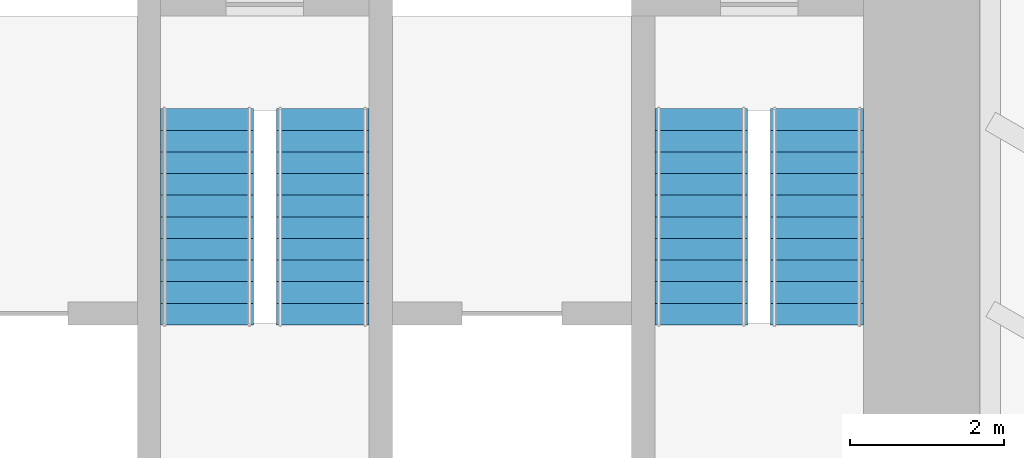
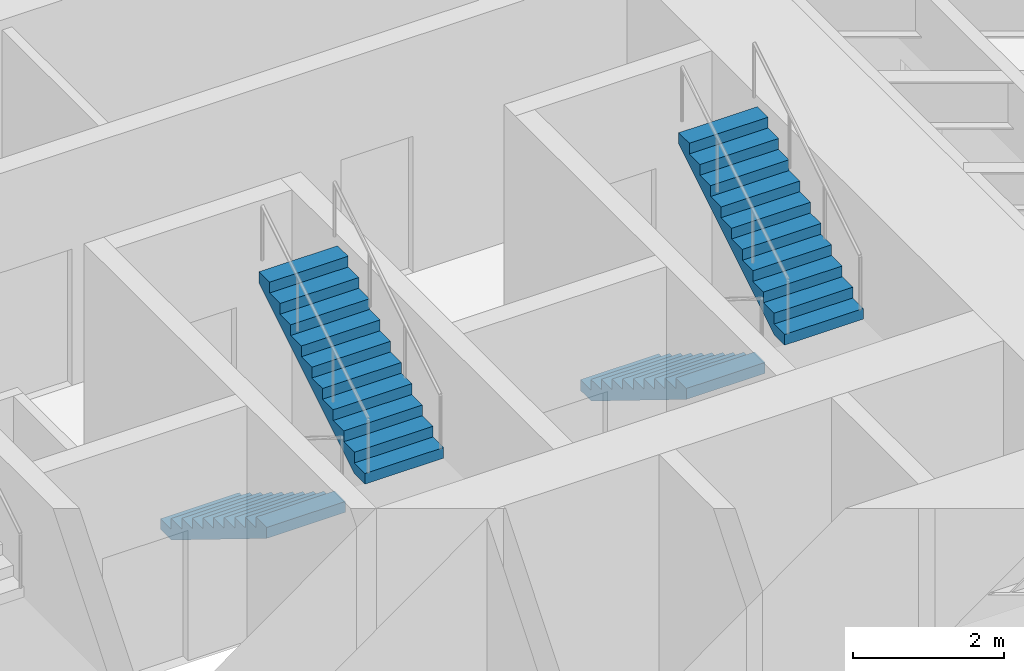
# One storey, part 16 of 17: 4 stair flights, 2 elements without a shape of their own.
"""IFC4 building model written with IfcOpenShell, lengths in metres."""

from ifc_helpers import new_model, si_unit, direction, frame, origin, place, context, subcontext, project, spatial, polyline, outline, extrude, material, type_object, element, aggregate, save


model = new_model("IFC4")

# Units and contexts
model_context = context("Model", 3, precision=1e-05, world=origin(), true_north=direction((0.0, 1.0)))
body_context = subcontext(model_context, "Body", "Model", "MODEL_VIEW")
ifc_project = project(units=[si_unit("LENGTHUNIT", "METRE"), si_unit("AREAUNIT", "SQUARE_METRE"), si_unit("VOLUMEUNIT", "CUBIC_METRE"), si_unit("PLANEANGLEUNIT", "RADIAN"), si_unit("MASSUNIT", "GRAM", prefix="KILO")], contexts=[model_context])

# Site, building, storey
site_placement = place(None, origin())
site = spatial("IfcSite", under=ifc_project, at=site_placement, CompositionType="ELEMENT")
building_placement = place(site_placement, origin())
building = spatial("IfcBuilding", under=site, at=building_placement, Name="Sandreach Pilgrim Tower", CompositionType="ELEMENT")
storey_placement = place(building_placement, frame((0.0, 0.0, 49.60009765625)))
storey = spatial("IfcBuildingStorey", under=building, at=storey_placement, Name="L11", CompositionType="ELEMENT", Elevation=49.60009765625)

# Stair, stair flights
ifc_material_1 = material(Name="Concrete 8000 psi", Category="concrete")
stair_type = type_object("IfcStairType", Name="Core exit stair", PredefinedType="HALF_TURN_STAIR", material=ifc_material_1)
stair_1_placement = place(storey_placement, origin())
stair_1 = element("IfcStair", 1, at=stair_1_placement, inside=storey, type_object=stair_type, Name="Exit stair ST3 L11", PredefinedType="HALF_TURN_STAIR")
ifc_material_2 = material(Name="Concrete 8000 psi", Category="concrete")
stair_flight_type = type_object("IfcStairFlightType", Name="Core stair flight 1200", PredefinedType="STRAIGHT", material=ifc_material_2)
stair_flight_1_placement = place(storey_placement, frame((-0.75, -0.39990234375, 0.0), z_axis=(0.0, 0.0, 1.0), x_axis=(0.0, -1.0, 0.0)))
stair_flight_1 = element("IfcStairFlight", 2, at=stair_flight_1_placement, type_object=stair_flight_type, Name="ST3 flight 1", NumberOfRisers=11, NumberOfTreads=10, PredefinedType="STRAIGHT", RiserHeight=0.172727273, TreadLength=0.28, context=body_context, shape_type="SweptSolid", body=[
    extrude(outline(polyline([(0.0, 0.0), (0.0, 0.172607421875), (0.280029296875, 0.172607421875), (0.280029296875, 0.345458984375), (0.56005859375, 0.345458984375), (0.56005859375, 0.51806640625), (0.840087890625, 0.51806640625), (0.840087890625, 0.69091796875), (1.1201171875, 0.69091796875), (1.1201171875, 0.863525390625), (1.39990234375, 0.863525390625), (1.39990234375, 1.036376953125), (1.679931640625, 1.036376953125), (1.679931640625, 1.208984375), (1.9599609375, 1.208984375), (1.9599609375, 1.3818359375), (2.239990234375, 1.3818359375), (2.239990234375, 1.554443359375), (2.52001953125, 1.554443359375), (2.52001953125, 1.727294921875), (2.800048828125, 1.727294921875), (2.800048828125, 1.89990234375), (2.800048828125, 1.551025390625), (0.285400390625, 0.0), (0.0, 0.0)])), frame((0.0, 0.60009765625, 0.0), z_axis=(0.0, -1.0, 0.0), x_axis=(1.0, 0.0, 0.0)), (0.0, 0.0, 1.0), 1.199951171875),
])
stair_flight_2_placement = place(storey_placement, frame((0.75, -3.199951171875, 1.89990234375), z_axis=(0.0, 0.0, 1.0), x_axis=(0.0, 1.0, 0.0)))
stair_flight_2 = element("IfcStairFlight", 3, at=stair_flight_2_placement, type_object=stair_flight_type, Name="ST3 flight 2", NumberOfRisers=11, NumberOfTreads=10, PredefinedType="STRAIGHT", RiserHeight=0.172727273, TreadLength=0.28, context=body_context, shape_type="SweptSolid", body=[
    extrude(outline(polyline([(0.0, 0.0), (0.0, 0.172607421875), (0.280029296875, 0.172607421875), (0.280029296875, 0.345458984375), (0.56005859375, 0.345458984375), (0.56005859375, 0.51806640625), (0.840087890625, 0.51806640625), (0.840087890625, 0.69091796875), (1.1201171875, 0.69091796875), (1.1201171875, 0.863525390625), (1.39990234375, 0.863525390625), (1.39990234375, 1.036376953125), (1.679931640625, 1.036376953125), (1.679931640625, 1.208984375), (1.9599609375, 1.208984375), (1.9599609375, 1.3818359375), (2.239990234375, 1.3818359375), (2.239990234375, 1.554443359375), (2.52001953125, 1.554443359375), (2.52001953125, 1.727294921875), (2.800048828125, 1.727294921875), (2.800048828125, 1.89990234375), (2.800048828125, 1.551025390625), (0.285400390625, 0.0), (0.0, 0.0)])), frame((0.0, 0.60009765625, 0.0), z_axis=(0.0, -1.0, 0.0), x_axis=(1.0, 0.0, 0.0)), (0.0, 0.0, 1.0), 1.199951171875),
])
aggregate(stair_1, [stair_flight_1, stair_flight_2])

stair_2_placement = place(storey_placement, origin())
stair_2 = element("IfcStair", 4, at=stair_2_placement, inside=storey, type_object=stair_type, Name="Exit stair ST2 L11", PredefinedType="HALF_TURN_STAIR")
stair_flight_3_placement = place(storey_placement, frame((5.64990234375, -0.39990234375, 0.0), z_axis=(0.0, 0.0, 1.0), x_axis=(0.0, -1.0, 0.0)))
stair_flight_3 = element("IfcStairFlight", 5, at=stair_flight_3_placement, type_object=stair_flight_type, Name="ST2 flight 1", NumberOfRisers=11, NumberOfTreads=10, PredefinedType="STRAIGHT", RiserHeight=0.172727273, TreadLength=0.28, context=body_context, shape_type="SweptSolid", body=[
    extrude(outline(polyline([(0.0, 0.0), (0.0, 0.172607421875), (0.280029296875, 0.172607421875), (0.280029296875, 0.345458984375), (0.56005859375, 0.345458984375), (0.56005859375, 0.51806640625), (0.840087890625, 0.51806640625), (0.840087890625, 0.69091796875), (1.1201171875, 0.69091796875), (1.1201171875, 0.863525390625), (1.39990234375, 0.863525390625), (1.39990234375, 1.036376953125), (1.679931640625, 1.036376953125), (1.679931640625, 1.208984375), (1.9599609375, 1.208984375), (1.9599609375, 1.3818359375), (2.239990234375, 1.3818359375), (2.239990234375, 1.554443359375), (2.52001953125, 1.554443359375), (2.52001953125, 1.727294921875), (2.800048828125, 1.727294921875), (2.800048828125, 1.89990234375), (2.800048828125, 1.551025390625), (0.285400390625, 0.0), (0.0, 0.0)])), frame((0.0, 0.60009765625, 0.0), z_axis=(0.0, -1.0, 0.0), x_axis=(1.0, 0.0, 0.0)), (0.0, 0.0, 1.0), 1.199951171875),
])
stair_flight_4_placement = place(storey_placement, frame((7.14990234375, -3.199951171875, 1.89990234375), z_axis=(0.0, 0.0, 1.0), x_axis=(0.0, 1.0, 0.0)))
stair_flight_4 = element("IfcStairFlight", 6, at=stair_flight_4_placement, type_object=stair_flight_type, Name="ST2 flight 2", NumberOfRisers=11, NumberOfTreads=10, PredefinedType="STRAIGHT", RiserHeight=0.172727273, TreadLength=0.28, context=body_context, shape_type="SweptSolid", body=[
    extrude(outline(polyline([(0.0, 0.0), (0.0, 0.172607421875), (0.280029296875, 0.172607421875), (0.280029296875, 0.345458984375), (0.56005859375, 0.345458984375), (0.56005859375, 0.51806640625), (0.840087890625, 0.51806640625), (0.840087890625, 0.69091796875), (1.1201171875, 0.69091796875), (1.1201171875, 0.863525390625), (1.39990234375, 0.863525390625), (1.39990234375, 1.036376953125), (1.679931640625, 1.036376953125), (1.679931640625, 1.208984375), (1.9599609375, 1.208984375), (1.9599609375, 1.3818359375), (2.239990234375, 1.3818359375), (2.239990234375, 1.554443359375), (2.52001953125, 1.554443359375), (2.52001953125, 1.727294921875), (2.800048828125, 1.727294921875), (2.800048828125, 1.89990234375), (2.800048828125, 1.551025390625), (0.285400390625, 0.0), (0.0, 0.0)])), frame((0.0, 0.60009765625, 0.0), z_axis=(0.0, -1.0, 0.0), x_axis=(1.0, 0.0, 0.0)), (0.0, 0.0, 1.0), 1.199951171875),
])
aggregate(stair_2, [stair_flight_3, stair_flight_4])

save(model, "model.ifc")
